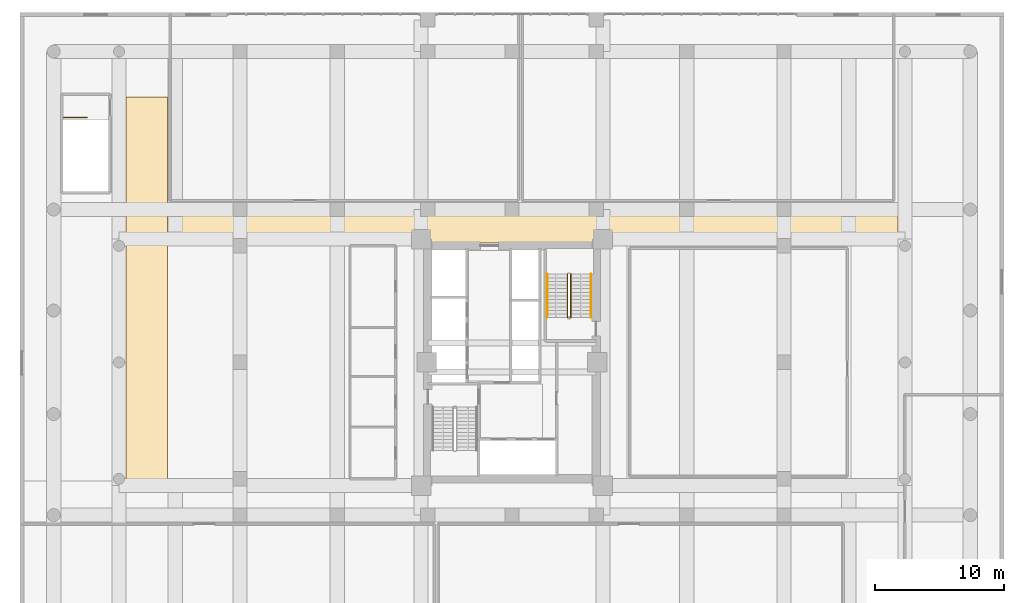
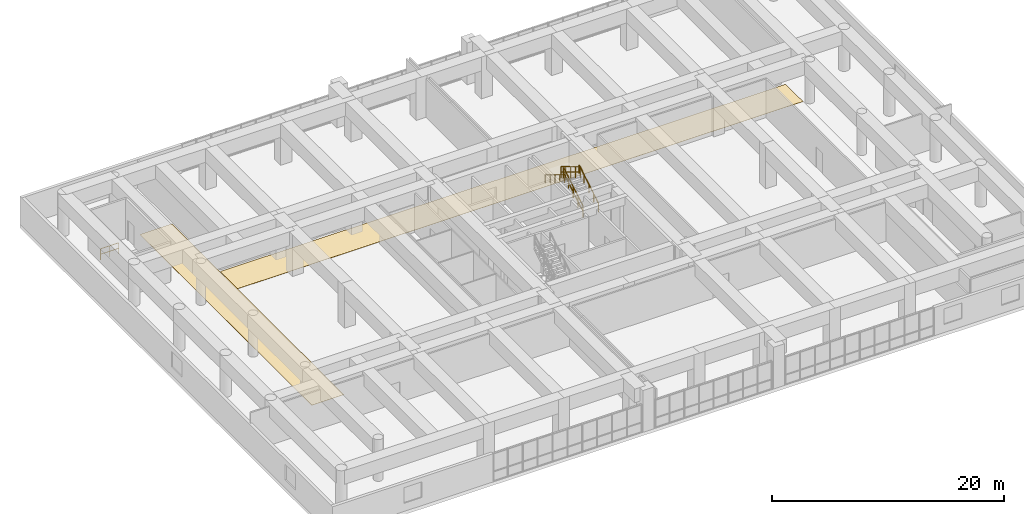
# One storey, part 26 of 28: 5 railings, 2 coverings.
"""IFC4 building model written with IfcOpenShell, lengths in metres."""

from ifc_helpers import new_model, si_unit, direction, frame, origin, origin_2d, place, context, subcontext, project, spatial, polyline, rectangle, outline, extrude, material, layer, layer_set, type_object, element, save


model = new_model("IFC4")

# Units and contexts
model_context = context("Model", 3, precision=1e-05, world=origin(), true_north=direction((0.0, 1.0)))
body_context = subcontext(model_context, "Body", "Model", "MODEL_VIEW")
ifc_project = project(units=[si_unit("LENGTHUNIT", "METRE"), si_unit("AREAUNIT", "SQUARE_METRE"), si_unit("VOLUMEUNIT", "CUBIC_METRE"), si_unit("PLANEANGLEUNIT", "RADIAN"), si_unit("MASSUNIT", "GRAM", prefix="KILO")], contexts=[model_context])

# Site, building, storey
site_placement = place(None, origin())
site = spatial("IfcSite", under=ifc_project, at=site_placement, CompositionType="ELEMENT")
building_placement = place(site_placement, origin())
building = spatial("IfcBuilding", under=site, at=building_placement, Name="Saelheon Loggia Tower", CompositionType="ELEMENT")
storey_placement = place(building_placement, frame((0.0, 0.0, 15.0)))
storey = spatial("IfcBuildingStorey", under=building, at=storey_placement, Name="L04", CompositionType="ELEMENT", Elevation=15.0)

# Coverings
ifc_material_1 = material(Name="Vitrified Porcelain Floor Tile", Category="ceramic")
ifc_layer = layer(ifc_material_1, 0.02001953125)
ifc_layer_set = layer_set([ifc_layer], Name="Vitrified Porcelain Floor Tile")
covering_type = type_object("IfcCoveringType", Name="Cov_Floor_Porcelain", PredefinedType="FLOORING", material=ifc_layer_set)
covering_1_placement = place(storey_placement, origin())
element("IfcCovering", 1, at=covering_1_placement, inside=storey, type_object=covering_type, Name="L04 Corridor Porcelain Flooring", PredefinedType="FLOORING", context=body_context, shape_type="SweptSolid", body=[
    extrude(outline(polyline([(11.419921875, 36.199951171875), (67.800048828125, 36.199951171875), (67.800048828125, 39.199951171875), (11.419921875, 39.199951171875), (11.419921875, 36.199951171875)])), origin(), (0.0, 0.0, 1.0), 0.02001953125),
])
covering_2_placement = place(storey_placement, origin())
element("IfcCovering", 2, at=covering_2_placement, inside=storey, type_object=covering_type, Name="L04 Corridor Porcelain Flooring", PredefinedType="FLOORING", context=body_context, shape_type="SweptSolid", body=[
    extrude(outline(polyline([(8.199951171875, 17.800048828125), (11.39990234375, 17.800048828125), (11.39990234375, 47.5), (8.199951171875, 47.5), (8.199951171875, 17.800048828125)])), origin(), (0.0, 0.0, 1.0), 0.02001953125),
])

# Railings
ifc_material_2 = material(Name="Galvanised Steel S275 Stairwell Guardrail", Category="steel")
railing_type_1 = type_object("IfcRailingType", Name="Guard_StairWell_RL_STG", PredefinedType="GUARDRAIL", material=ifc_material_2)
railing_1_placement = place(storey_placement, frame((42.5400390625, 30.449951171875, 0.169189453125)))
element("IfcRailing", 3, at=railing_1_placement, inside=storey, type_object=railing_type_1, Name="L04 ST2 stair guard 1", PredefinedType="GUARDRAIL", context=body_context, shape_type="SweptSolid", body=[
    extrude(rectangle(XDim=0.048095703125, YDim=0.048095703125, at=origin_2d()), frame((0.0, 0.028564453125, 1.193115234375), z_axis=(0.0, 0.855836976705, 0.517245656632), x_axis=(-1.0, 0.0, 0.0)), (0.0, 0.0, 1.0), 0.9150390625),
    extrude(rectangle(XDim=0.048095703125, YDim=0.048095703125, at=origin_2d()), frame((0.0, 0.028564453125, 0.6171875), z_axis=(0.0, 0.855836976705, 0.517245656632), x_axis=(-1.0, 0.0, 0.0)), (0.0, 0.0, 1.0), 0.9150390625),
    extrude(rectangle(XDim=0.048095703125, YDim=0.048095703125, at=origin_2d()), frame((0.0, 0.868408203125, 1.70068359375), z_axis=(0.0, 0.855836976705, 0.517245656632), x_axis=(-1.0, 0.0, 0.0)), (0.0, 0.0, 1.0), 0.9150390625),
    extrude(rectangle(XDim=0.048095703125, YDim=0.048095703125, at=origin_2d()), frame((0.0, 0.868408203125, 1.124755859375), z_axis=(0.0, 0.855836976705, 0.517245656632), x_axis=(-1.0, 0.0, 0.0)), (0.0, 0.0, 1.0), 0.9150390625),
    extrude(rectangle(XDim=0.048095703125, YDim=0.048095703125, at=origin_2d()), frame((0.0, 1.70849609375, 2.20849609375), z_axis=(0.0, 0.855836976705, 0.517245656632), x_axis=(-1.0, 0.0, 0.0)), (0.0, 0.0, 1.0), 0.9150390625),
    extrude(rectangle(XDim=0.048095703125, YDim=0.048095703125, at=origin_2d()), frame((0.0, 1.70849609375, 1.632568359375), z_axis=(0.0, 0.855836976705, 0.517245656632), x_axis=(-1.0, 0.0, 0.0)), (0.0, 0.0, 1.0), 0.9150390625),
    extrude(rectangle(XDim=0.048095703125, YDim=0.048095703125, at=origin_2d()), frame((0.0, 2.548583984375, 2.716064453125), z_axis=(0.0, 0.855836976705, 0.517245656632), x_axis=(-1.0, 0.0, 0.0)), (0.0, 0.0, 1.0), 0.9150390625),
    extrude(rectangle(XDim=0.048095703125, YDim=0.048095703125, at=origin_2d()), frame((0.0, 2.548583984375, 2.14013671875), z_axis=(0.0, 0.855836976705, 0.517245656632), x_axis=(-1.0, 0.0, 0.0)), (0.0, 0.0, 1.0), 0.9150390625),
    extrude(rectangle(XDim=0.0419921875, YDim=0.0419921875, at=origin_2d()), origin(), (0.0, 0.0, 1.0), 1.14794921875),
    extrude(rectangle(XDim=0.0419921875, YDim=0.0419921875, at=origin_2d()), frame((0.0, 0.840087890625, 0.5078125)), (0.0, 0.0, 1.0), 1.14794921875),
    extrude(rectangle(XDim=0.0419921875, YDim=0.0419921875, at=origin_2d()), frame((0.0, 1.68017578125, 1.015380859375)), (0.0, 0.0, 1.0), 1.14794921875),
    extrude(rectangle(XDim=0.0419921875, YDim=0.0419921875, at=origin_2d()), frame((0.0, 2.52001953125, 1.52294921875)), (0.0, 0.0, 1.0), 1.14794921875),
    extrude(rectangle(XDim=0.0419921875, YDim=0.0419921875, at=origin_2d()), frame((0.0, 3.360107421875, 2.03076171875)), (0.0, 0.0, 1.0), 1.14794921875),
])
railing_2_placement = place(storey_placement, frame((42.280029296875, 33.81005859375, 2.369140625)))
element("IfcRailing", 4, at=railing_2_placement, inside=storey, type_object=railing_type_1, Name="L04 ST2 stair guard 3", PredefinedType="GUARDRAIL", context=body_context, shape_type="SweptSolid", body=[
    extrude(rectangle(XDim=0.048095703125, YDim=0.048095703125, at=origin_2d()), frame((0.0, -0.028564453125, 1.193115234375), z_axis=(0.0, -0.855836976705, 0.517245656632), x_axis=(1.0, 0.0, 0.0)), (0.0, 0.0, 1.0), 0.9150390625),
    extrude(rectangle(XDim=0.048095703125, YDim=0.048095703125, at=origin_2d()), frame((0.0, -0.028564453125, 0.6171875), z_axis=(0.0, -0.855836976705, 0.517245656632), x_axis=(1.0, 0.0, 0.0)), (0.0, 0.0, 1.0), 0.9150390625),
    extrude(rectangle(XDim=0.048095703125, YDim=0.048095703125, at=origin_2d()), frame((0.0, -0.868408203125, 1.70068359375), z_axis=(0.0, -0.855836976705, 0.517245656632), x_axis=(1.0, 0.0, 0.0)), (0.0, 0.0, 1.0), 0.9150390625),
    extrude(rectangle(XDim=0.048095703125, YDim=0.048095703125, at=origin_2d()), frame((0.0, -0.868408203125, 1.124755859375), z_axis=(0.0, -0.855836976705, 0.517245656632), x_axis=(1.0, 0.0, 0.0)), (0.0, 0.0, 1.0), 0.9150390625),
    extrude(rectangle(XDim=0.048095703125, YDim=0.048095703125, at=origin_2d()), frame((0.0, -1.70849609375, 2.20849609375), z_axis=(0.0, -0.855836976705, 0.517245656632), x_axis=(1.0, 0.0, 0.0)), (0.0, 0.0, 1.0), 0.9150390625),
    extrude(rectangle(XDim=0.048095703125, YDim=0.048095703125, at=origin_2d()), frame((0.0, -1.70849609375, 1.632568359375), z_axis=(0.0, -0.855836976705, 0.517245656632), x_axis=(1.0, 0.0, 0.0)), (0.0, 0.0, 1.0), 0.9150390625),
    extrude(rectangle(XDim=0.048095703125, YDim=0.048095703125, at=origin_2d()), frame((0.0, -2.548583984375, 2.716064453125), z_axis=(0.0, -0.855836976705, 0.517245656632), x_axis=(1.0, 0.0, 0.0)), (0.0, 0.0, 1.0), 0.9150390625),
    extrude(rectangle(XDim=0.048095703125, YDim=0.048095703125, at=origin_2d()), frame((0.0, -2.548583984375, 2.14013671875), z_axis=(0.0, -0.855836976705, 0.517245656632), x_axis=(1.0, 0.0, 0.0)), (0.0, 0.0, 1.0), 0.9150390625),
    extrude(rectangle(XDim=0.0419921875, YDim=0.0419921875, at=origin_2d()), origin(), (0.0, 0.0, 1.0), 1.14794921875),
    extrude(rectangle(XDim=0.0419921875, YDim=0.0419921875, at=origin_2d()), frame((0.0, -0.840087890625, 0.5078125)), (0.0, 0.0, 1.0), 1.14794921875),
    extrude(rectangle(XDim=0.0419921875, YDim=0.0419921875, at=origin_2d()), frame((0.0, -1.68017578125, 1.015380859375)), (0.0, 0.0, 1.0), 1.14794921875),
    extrude(rectangle(XDim=0.0419921875, YDim=0.0419921875, at=origin_2d()), frame((0.0, -2.52001953125, 1.52294921875)), (0.0, 0.0, 1.0), 1.14794921875),
    extrude(rectangle(XDim=0.0419921875, YDim=0.0419921875, at=origin_2d()), frame((0.0, -3.360107421875, 2.03076171875)), (0.0, 0.0, 1.0), 1.14794921875),
])
railing_3_placement = place(storey_placement, frame((3.35009765625, 45.89990234375, 0.0)))
element("IfcRailing", 5, at=railing_3_placement, inside=storey, type_object=railing_type_1, Name="L04 ST3 top well guard 1", PredefinedType="GUARDRAIL", context=body_context, shape_type="SweptSolid", body=[
    extrude(rectangle(XDim=0.048095703125, YDim=0.048095703125, at=origin_2d()), frame((0.033203125, 0.0, 1.17578125), z_axis=(1.0, 0.0, 0.0), x_axis=(0.0, 1.0, 0.0)), (0.0, 0.0, 1.0), 0.843505859375),
    extrude(rectangle(XDim=0.048095703125, YDim=0.048095703125, at=origin_2d()), frame((0.033203125, 0.0, 0.60009765625), z_axis=(1.0, 0.0, 0.0), x_axis=(0.0, 1.0, 0.0)), (0.0, 0.0, 1.0), 0.843505859375),
    extrude(rectangle(XDim=0.048095703125, YDim=0.048095703125, at=origin_2d()), frame((0.943115234375, 0.0, 1.17578125), z_axis=(1.0, 0.0, 0.0), x_axis=(0.0, 1.0, 0.0)), (0.0, 0.0, 1.0), 0.843505859375),
    extrude(rectangle(XDim=0.048095703125, YDim=0.048095703125, at=origin_2d()), frame((0.943115234375, 0.0, 0.60009765625), z_axis=(1.0, 0.0, 0.0), x_axis=(0.0, 1.0, 0.0)), (0.0, 0.0, 1.0), 0.843505859375),
    extrude(rectangle(XDim=0.0419921875, YDim=0.0419921875, at=origin_2d()), origin(), (0.0, 0.0, 1.0), 1.14794921875),
    extrude(rectangle(XDim=0.0419921875, YDim=0.0419921875, at=origin_2d()), frame((0.909912109375, 0.0, 0.0)), (0.0, 0.0, 1.0), 1.14794921875),
    extrude(rectangle(XDim=0.0419921875, YDim=0.0419921875, at=origin_2d()), frame((1.81982421875, 0.0, 0.0)), (0.0, 0.0, 1.0), 1.14794921875),
])
ifc_material_3 = material(Name="Stainless Steel 304 Tubular Handrail", Category="steel")
railing_type_2 = type_object("IfcRailingType", Name="Handrail_Stair_RL_HR1", PredefinedType="HANDRAIL", material=ifc_material_3)
railing_4_placement = place(storey_placement, frame((44.10009765625, 30.449951171875, 0.169189453125)))
element("IfcRailing", 6, at=railing_4_placement, inside=storey, type_object=railing_type_2, Name="L04 ST2 stair handrail 1", PredefinedType="HANDRAIL", context=body_context, shape_type="SweptSolid", body=[
    extrude(rectangle(XDim=0.048095703125, YDim=0.048095703125, at=origin_2d()), frame((0.0, 0.028564453125, 0.89306640625), z_axis=(0.0, 0.855836976705, 0.517245656632), x_axis=(-1.0, 0.0, 0.0)), (0.0, 0.0, 1.0), 0.9150390625),
    extrude(rectangle(XDim=0.048095703125, YDim=0.048095703125, at=origin_2d()), frame((0.0, 0.868408203125, 1.400634765625), z_axis=(0.0, 0.855836976705, 0.517245656632), x_axis=(-1.0, 0.0, 0.0)), (0.0, 0.0, 1.0), 0.9150390625),
    extrude(rectangle(XDim=0.048095703125, YDim=0.048095703125, at=origin_2d()), frame((0.0, 1.70849609375, 1.908447265625), z_axis=(0.0, 0.855836976705, 0.517245656632), x_axis=(-1.0, 0.0, 0.0)), (0.0, 0.0, 1.0), 0.9150390625),
    extrude(rectangle(XDim=0.048095703125, YDim=0.048095703125, at=origin_2d()), frame((0.0, 2.548583984375, 2.416015625), z_axis=(0.0, 0.855836976705, 0.517245656632), x_axis=(-1.0, 0.0, 0.0)), (0.0, 0.0, 1.0), 0.9150390625),
    extrude(rectangle(XDim=0.0419921875, YDim=0.0419921875, at=origin_2d()), origin(), (0.0, 0.0, 1.0), 0.847900390625),
    extrude(rectangle(XDim=0.0419921875, YDim=0.0419921875, at=origin_2d()), frame((0.0, 0.840087890625, 0.5078125)), (0.0, 0.0, 1.0), 0.847900390625),
    extrude(rectangle(XDim=0.0419921875, YDim=0.0419921875, at=origin_2d()), frame((0.0, 1.68017578125, 1.015380859375)), (0.0, 0.0, 1.0), 0.847900390625),
    extrude(rectangle(XDim=0.0419921875, YDim=0.0419921875, at=origin_2d()), frame((0.0, 2.52001953125, 1.52294921875)), (0.0, 0.0, 1.0), 0.847900390625),
    extrude(rectangle(XDim=0.0419921875, YDim=0.0419921875, at=origin_2d()), frame((0.0, 3.360107421875, 2.03076171875)), (0.0, 0.0, 1.0), 0.847900390625),
])
railing_5_placement = place(storey_placement, frame((40.719970703125, 33.81005859375, 2.369140625)))
element("IfcRailing", 7, at=railing_5_placement, inside=storey, type_object=railing_type_2, Name="L04 ST2 stair handrail 2", PredefinedType="HANDRAIL", context=body_context, shape_type="SweptSolid", body=[
    extrude(rectangle(XDim=0.048095703125, YDim=0.048095703125, at=origin_2d()), frame((0.0, -0.028564453125, 0.89306640625), z_axis=(0.0, -0.855836976705, 0.517245656632), x_axis=(1.0, 0.0, 0.0)), (0.0, 0.0, 1.0), 0.9150390625),
    extrude(rectangle(XDim=0.048095703125, YDim=0.048095703125, at=origin_2d()), frame((0.0, -0.868408203125, 1.400634765625), z_axis=(0.0, -0.855836976705, 0.517245656632), x_axis=(1.0, 0.0, 0.0)), (0.0, 0.0, 1.0), 0.9150390625),
    extrude(rectangle(XDim=0.048095703125, YDim=0.048095703125, at=origin_2d()), frame((0.0, -1.70849609375, 1.908447265625), z_axis=(0.0, -0.855836976705, 0.517245656632), x_axis=(1.0, 0.0, 0.0)), (0.0, 0.0, 1.0), 0.9150390625),
    extrude(rectangle(XDim=0.048095703125, YDim=0.048095703125, at=origin_2d()), frame((0.0, -2.548583984375, 2.416015625), z_axis=(0.0, -0.855836976705, 0.517245656632), x_axis=(1.0, 0.0, 0.0)), (0.0, 0.0, 1.0), 0.9150390625),
    extrude(rectangle(XDim=0.0419921875, YDim=0.0419921875, at=origin_2d()), origin(), (0.0, 0.0, 1.0), 0.847900390625),
    extrude(rectangle(XDim=0.0419921875, YDim=0.0419921875, at=origin_2d()), frame((0.0, -0.840087890625, 0.5078125)), (0.0, 0.0, 1.0), 0.847900390625),
    extrude(rectangle(XDim=0.0419921875, YDim=0.0419921875, at=origin_2d()), frame((0.0, -1.68017578125, 1.015380859375)), (0.0, 0.0, 1.0), 0.847900390625),
    extrude(rectangle(XDim=0.0419921875, YDim=0.0419921875, at=origin_2d()), frame((0.0, -2.52001953125, 1.52294921875)), (0.0, 0.0, 1.0), 0.847900390625),
    extrude(rectangle(XDim=0.0419921875, YDim=0.0419921875, at=origin_2d()), frame((0.0, -3.360107421875, 2.03076171875)), (0.0, 0.0, 1.0), 0.847900390625),
])

save(model, "model.ifc")
